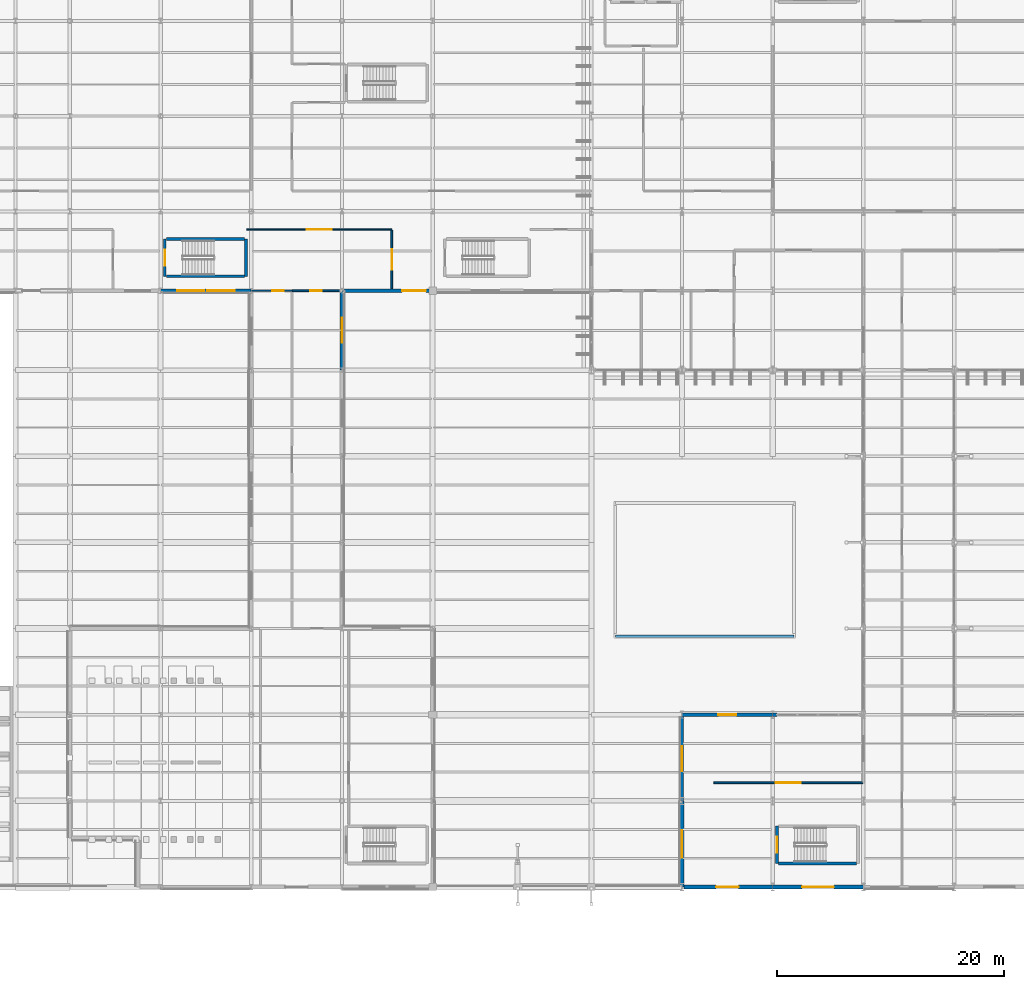
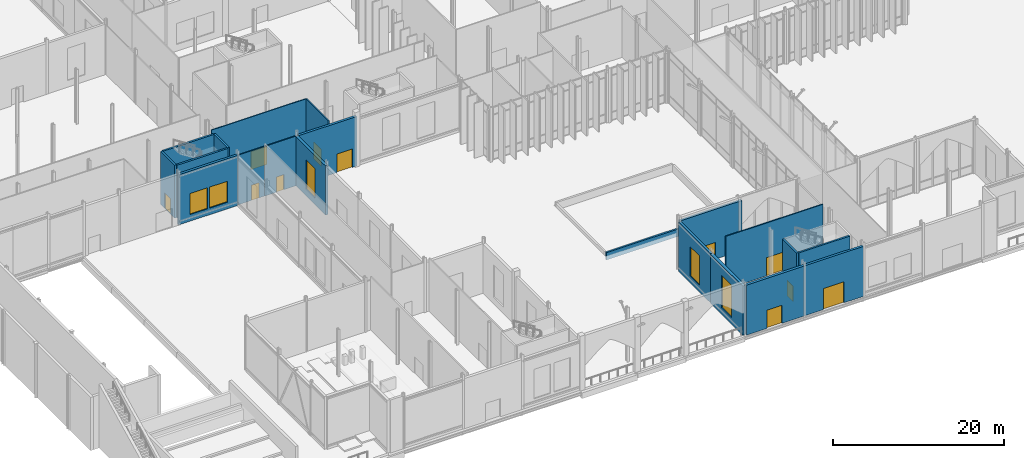
# One storey, part 134 of 176: 21 walls, 11 doors, 5 windows, 16 openings.
"""IFC4 building model written with IfcOpenShell, lengths in metres."""

from ifc_helpers import new_model, si_unit, direction, frame, frame_2d, origin, place, context, subcontext, project, spatial, rectangle, extrude, material, layer, layer_set, type_object, element, fill, save


model = new_model("IFC4")

# Units and contexts
model_context = context("Model", 3, precision=1e-05, world=origin(), true_north=direction((0.0, 1.0)))
body_context = subcontext(model_context, "Body", "Model", "MODEL_VIEW")
ifc_project = project(units=[si_unit("LENGTHUNIT", "METRE"), si_unit("AREAUNIT", "SQUARE_METRE"), si_unit("VOLUMEUNIT", "CUBIC_METRE"), si_unit("PLANEANGLEUNIT", "RADIAN"), si_unit("MASSUNIT", "GRAM", prefix="KILO")], contexts=[model_context])

# Site, building, storey
site_placement = place(None, origin())
site = spatial("IfcSite", under=ifc_project, at=site_placement, CompositionType="ELEMENT")
building_placement = place(site_placement, origin())
building = spatial("IfcBuilding", under=site, at=building_placement, Name="Vekula Escarpment Museum", CompositionType="ELEMENT")
storey_placement = place(building_placement, origin())
storey = spatial("IfcBuildingStorey", under=building, at=storey_placement, Name="L01", CompositionType="ELEMENT", Elevation=0.0)

# Wall, opening, window
ifc_material_1 = material(Name="Inkisi arkosic sandstone masonry", Category="masonry")
ifc_layer_1 = layer(ifc_material_1, 0.300048828125)
ifc_layer_set_1 = layer_set([ifc_layer_1], Name="Inkisi arkosic sandstone masonry")
wall_type_1 = type_object("IfcWallType", Name="WL-ALM-300", PredefinedType="SOLIDWALL", material=ifc_layer_set_1)
wall_1_placement = place(storey_placement, frame((78.0, 7.60009765625, 0.0), z_axis=(0.0, 0.0, 1.0), x_axis=(0.0, 1.0, 0.0)))
wall_1 = element("IfcWall", 1, at=wall_1_placement, inside=storey, type_object=wall_type_1, Name="Exterior Wall WL-EXT-L01-0307", PredefinedType="SOLIDWALL", context=body_context, shape_type="SweptSolid", body=[
    extrude(rectangle(XDim=7.435791015625, YDim=0.300048828125, at=frame_2d((3.7177734375, 0.0))), origin(), (0.0, 0.0, 1.0), 7.02490234375),
])
opening_1_placement = place(wall_1_placement, frame((2.617919921875, 0.0, 0.949951171875)))
opening_1 = element("IfcOpeningElement", 2, at=opening_1_placement, cuts=wall_1, Name="Opening WN-04", PredefinedType="OPENING", context=body_context, shape_type="SweptSolid", body=[
    extrude(rectangle(XDim=2.199951171875, YDim=4.199951171875, at=frame_2d((1.10009765625, 2.10009765625))), frame((0.0, 0.159912109375, 0.0), z_axis=(0.0, -1.0, 0.0), x_axis=(1.0, 0.0, 0.0)), (0.0, 0.0, 1.0), 0.320068359375),
])
ifc_material_2 = material(Name="Double solar-control low-E glass", Category="glass")
window_type_1 = type_object("IfcWindowType", Name="WN-ARCH-22x42", PartitioningType="DOUBLE_PANEL_VERTICAL", PredefinedType="WINDOW", material=ifc_material_2)
window_1_placement = place(opening_1_placement, origin())
window_1 = element("IfcWindow", 3, at=window_1_placement, inside=storey, type_object=window_type_1, Name="Window L01-0124", OverallHeight=4.199951171875, OverallWidth=2.199951171875, PartitioningType="SINGLE_PANEL", PredefinedType="WINDOW", context=body_context, shape_type="SweptSolid", body=[
    extrude(rectangle(XDim=2.199951171875, YDim=4.199951171875, at=frame_2d((1.10009765625, 2.10009765625))), frame((0.0, 0.030029296875, 0.0), z_axis=(0.0, -1.0, 0.0), x_axis=(1.0, 0.0, 0.0)), (0.0, 0.0, 1.0), 0.06005859375),
])
fill(opening_1, window_1)

# Wall, openings, windows
ifc_material_3 = material(Name="Inkisi arkosic sandstone masonry", Category="masonry")
ifc_layer_2 = layer(ifc_material_3, 0.320068359375)
ifc_layer_set_2 = layer_set([ifc_layer_2], Name="Inkisi arkosic sandstone masonry")
wall_type_2 = type_object("IfcWallType", Name="WL-ALM-320", PredefinedType="SOLIDWALL", material=ifc_layer_set_2)
wall_2_placement = place(storey_placement, frame((40.0, 52.60009765625, 0.0), z_axis=(0.0, 0.0, 1.0), x_axis=(-1.0, 0.0, 0.0)))
wall_2 = element("IfcWall", 4, at=wall_2_placement, inside=storey, type_object=wall_type_2, Name="Exterior Wall WL-EXT-L01-0262", PredefinedType="SOLIDWALL", context=body_context, shape_type="SweptSolid", body=[
    extrude(rectangle(XDim=8.0, YDim=0.320068359375, at=frame_2d((4.0, 0.0))), origin(), (0.0, 0.0, 1.0), 7.1650390625),
])
opening_2_placement = place(wall_2_placement, frame((1.466796875, 0.0, 0.949951171875)))
opening_2 = element("IfcOpeningElement", 5, at=opening_2_placement, cuts=wall_2, Name="Opening WN-14", PredefinedType="OPENING", context=body_context, shape_type="SweptSolid", body=[
    extrude(rectangle(XDim=2.39990234375, YDim=3.0, at=frame_2d((1.199951171875, 1.5))), frame((0.0, 0.169921875, 0.0), z_axis=(0.0, -1.0, 0.0), x_axis=(1.0, 0.0, 0.0)), (0.0, 0.0, 1.0), 0.340087890625),
])
opening_3_placement = place(wall_2_placement, frame((4.13330078125, 0.0, 0.949951171875)))
opening_3 = element("IfcOpeningElement", 6, at=opening_3_placement, cuts=wall_2, Name="Opening WN-14", PredefinedType="OPENING", context=body_context, shape_type="SweptSolid", body=[
    extrude(rectangle(XDim=2.39990234375, YDim=3.0, at=frame_2d((1.199951171875, 1.5))), frame((0.0, 0.169921875, 0.0), z_axis=(0.0, -1.0, 0.0), x_axis=(1.0, 0.0, 0.0)), (0.0, 0.0, 1.0), 0.340087890625),
])
ifc_material_4 = material(Name="Double solar-control low-E glass", Category="glass")
window_type_2 = type_object("IfcWindowType", Name="WN-CAFE-24x30", PartitioningType="TRIPLE_PANEL_VERTICAL", PredefinedType="WINDOW", material=ifc_material_4)
window_2_placement = place(opening_2_placement, origin())
window_2 = element("IfcWindow", 7, at=window_2_placement, inside=storey, type_object=window_type_2, Name="Window L01-0105", OverallHeight=3.0, OverallWidth=2.39990234375, PartitioningType="SINGLE_PANEL", PredefinedType="WINDOW", context=body_context, shape_type="SweptSolid", body=[
    extrude(rectangle(XDim=2.39990234375, YDim=3.0, at=frame_2d((1.199951171875, 1.5))), frame((0.0, 0.030029296875, 0.0), z_axis=(0.0, -1.0, 0.0), x_axis=(1.0, 0.0, 0.0)), (0.0, 0.0, 1.0), 0.06005859375),
])
fill(opening_2, window_2)
window_3_placement = place(opening_3_placement, origin())
window_3 = element("IfcWindow", 8, at=window_3_placement, inside=storey, type_object=window_type_2, Name="Window L01-0106", OverallHeight=3.0, OverallWidth=2.39990234375, PartitioningType="SINGLE_PANEL", PredefinedType="WINDOW", context=body_context, shape_type="SweptSolid", body=[
    extrude(rectangle(XDim=2.39990234375, YDim=3.0, at=frame_2d((1.199951171875, 1.5))), frame((0.0, 0.030029296875, 0.0), z_axis=(0.0, -1.0, 0.0), x_axis=(1.0, 0.0, 0.0)), (0.0, 0.0, 1.0), 0.06005859375),
])
fill(opening_3, window_3)

# Wall, opening, door
wall_3_placement = place(storey_placement, frame((56.0, 52.60009765625, 0.0), z_axis=(0.0, 0.0, 1.0), x_axis=(-1.0, 0.0, 0.0)))
wall_3 = element("IfcWall", 9, at=wall_3_placement, inside=storey, type_object=wall_type_2, Name="Exterior Wall WL-EXT-L01-0286", PredefinedType="SOLIDWALL", context=body_context, shape_type="SweptSolid", body=[
    extrude(rectangle(XDim=7.821044921875, YDim=0.320068359375, at=frame_2d((3.91064453125, 0.0))), origin(), (0.0, 0.0, 1.0), 7.074951171875),
])
opening_4_placement = place(wall_3_placement, frame((0.60009765625, 0.0, 0.0)))
opening_4 = element("IfcOpeningElement", 10, at=opening_4_placement, cuts=wall_3, Name="Opening D-EX21", PredefinedType="OPENING", context=body_context, shape_type="SweptSolid", body=[
    extrude(rectangle(XDim=2.10009765625, YDim=2.64990234375, at=frame_2d((1.050048828125, 1.324951171875))), frame((0.0, 0.169921875, 0.0), z_axis=(0.0, -1.0, 0.0), x_axis=(1.0, 0.0, 0.0)), (0.0, 0.0, 1.0), 0.340087890625),
])
ifc_material_5 = material(Name="Bronze-anodized glazed exit door", Category="aluminium")
door_type_1 = type_object("IfcDoorType", Name="DR-EX-2100x2650", OperationType="NOTDEFINED", PredefinedType="DOOR", material=ifc_material_5)
door_1_placement = place(opening_4_placement, origin())
door_1 = element("IfcDoor", 11, at=door_1_placement, inside=storey, type_object=door_type_1, Name="Central West ST-01 Protected Exit Door D-EX21", OperationType="SINGLE_SWING_LEFT", OverallHeight=2.64990234375, OverallWidth=2.10009765625, PredefinedType="DOOR", context=body_context, shape_type="SweptSolid", body=[
    extrude(rectangle(XDim=2.10009765625, YDim=2.64990234375, at=frame_2d((1.050048828125, 1.324951171875))), frame((0.0, 0.02490234375, 0.0), z_axis=(0.0, -1.0, 0.0), x_axis=(1.0, 0.0, 0.0)), (0.0, 0.0, 1.0), 0.050048828125),
])
fill(opening_4, door_1)

wall_4_placement = place(storey_placement, frame((78.0, 15.199951171875, 0.0), z_axis=(0.0, 0.0, 1.0), x_axis=(1.0, 0.0, 0.0)))
wall_4 = element("IfcWall", 12, at=wall_4_placement, inside=storey, type_object=wall_type_2, Name="Exterior Wall WL-EXT-L01-0306", PredefinedType="SOLIDWALL", context=body_context, shape_type="SweptSolid", body=[
    extrude(rectangle(XDim=8.0, YDim=0.320068359375, at=frame_2d((4.0, 0.0))), origin(), (0.0, 0.0, 1.0), 7.125),
])
opening_5_placement = place(wall_4_placement, frame((3.199951171875, 0.0, 0.0)))
opening_5 = element("IfcOpeningElement", 13, at=opening_5_placement, cuts=wall_4, Name="Opening D-CY02", PredefinedType="OPENING", context=body_context, shape_type="SweptSolid", body=[
    extrude(rectangle(XDim=1.60009765625, YDim=2.39990234375, at=frame_2d((0.800048828125, 1.199951171875))), frame((0.0, 0.169921875, 0.0), z_axis=(0.0, -1.0, 0.0), x_axis=(1.0, 0.0, 0.0)), (0.0, 0.0, 1.0), 0.340087890625),
])
ifc_material_6 = material(Name="Thermally broken glazed terrace door", Category="steel")
door_type_2 = type_object("IfcDoorType", Name="DR-TER-1600x2400", OperationType="NOTDEFINED", PredefinedType="DOOR", material=ifc_material_6)
door_2_placement = place(opening_5_placement, origin())
door_2 = element("IfcDoor", 14, at=door_2_placement, inside=storey, type_object=door_type_2, Name="South Avlu Courtyard Door D-CY02", OperationType="SINGLE_SWING_RIGHT", OverallHeight=2.39990234375, OverallWidth=1.60009765625, PredefinedType="DOOR", context=body_context, shape_type="SweptSolid", body=[
    extrude(rectangle(XDim=1.60009765625, YDim=2.39990234375, at=frame_2d((0.800048828125, 1.199951171875))), frame((0.0, 0.02490234375, 0.0), z_axis=(0.0, -1.0, 0.0), x_axis=(1.0, 0.0, 0.0)), (0.0, 0.0, 1.0), 0.050048828125),
])
fill(opening_5, door_2)

wall_5_placement = place(storey_placement, frame((94.0, 0.0, 0.0), z_axis=(0.0, 0.0, 1.0), x_axis=(-1.0, 0.0, 0.0)))
wall_5 = element("IfcWall", 15, at=wall_5_placement, inside=storey, type_object=wall_type_2, Name="Exterior Wall WL-EXT-L01-0310", PredefinedType="SOLIDWALL", context=body_context, shape_type="SweptSolid", body=[
    extrude(rectangle(XDim=8.0, YDim=0.320068359375, at=frame_2d((4.0, 0.0))), origin(), (0.0, 0.0, 1.0), 7.135009765625),
])
opening_6_placement = place(wall_5_placement, frame((2.60009765625, 0.0, 0.0)))
opening_6 = element("IfcOpeningElement", 16, at=opening_6_placement, cuts=wall_5, Name="Opening D-EX18", PredefinedType="OPENING", context=body_context, shape_type="SweptSolid", body=[
    extrude(rectangle(XDim=2.800048828125, YDim=3.0, at=frame_2d((1.39990234375, 1.5))), frame((0.0, 0.169921875, 0.0), z_axis=(0.0, -1.0, 0.0), x_axis=(1.0, 0.0, 0.0)), (0.0, 0.0, 1.0), 0.340087890625),
])
ifc_material_7 = material(Name="Bronze-anodized glazed exit door", Category="aluminium")
door_type_3 = type_object("IfcDoorType", Name="DR-EX-2800x3000", OperationType="NOTDEFINED", PredefinedType="DOOR", material=ifc_material_7)
door_3_placement = place(opening_6_placement, origin())
door_3 = element("IfcDoor", 17, at=door_3_placement, inside=storey, type_object=door_type_3, Name="Paleobotany Gallery South Exit D-EX18", OperationType="SINGLE_SWING_RIGHT", OverallHeight=3.0, OverallWidth=2.800048828125, PredefinedType="DOOR", context=body_context, shape_type="SweptSolid", body=[
    extrude(rectangle(XDim=2.800048828125, YDim=3.0, at=frame_2d((1.39990234375, 1.5))), frame((0.0, 0.02490234375, 0.0), z_axis=(0.0, -1.0, 0.0), x_axis=(1.0, 0.0, 0.0)), (0.0, 0.0, 1.0), 0.050048828125),
])
fill(opening_6, door_3)

# Wall, opening, window
ifc_material_8 = material(Name="Inkisi arkosic sandstone masonry", Category="masonry")
ifc_layer_3 = layer(ifc_material_8, 0.35009765625)
ifc_layer_set_3 = layer_set([ifc_layer_3], Name="Inkisi arkosic sandstone masonry")
wall_type_3 = type_object("IfcWallType", Name="WL-ALM-350", PredefinedType="SOLIDWALL", material=ifc_layer_set_3)
wall_6_placement = place(storey_placement, frame((48.0, 52.60009765625, 0.0), z_axis=(0.0, 0.0, 1.0), x_axis=(0.0, -1.0, 0.0)))
wall_6 = element("IfcWall", 18, at=wall_6_placement, inside=storey, type_object=wall_type_3, Name="Exterior Wall WL-EXT-L01-0285", PredefinedType="SOLIDWALL", context=body_context, shape_type="SweptSolid", body=[
    extrude(rectangle(XDim=7.0, YDim=0.35009765625, at=frame_2d((3.5, 0.0))), origin(), (0.0, 0.0, 1.0), 7.02490234375),
])
opening_7_placement = place(wall_6_placement, frame((2.39990234375, 0.0, 0.949951171875)))
opening_7 = element("IfcOpeningElement", 19, at=opening_7_placement, cuts=wall_6, Name="Opening WN-04", PredefinedType="OPENING", context=body_context, shape_type="SweptSolid", body=[
    extrude(rectangle(XDim=2.199951171875, YDim=4.199951171875, at=frame_2d((1.10009765625, 2.10009765625))), frame((0.0, 0.18505859375, 0.0), z_axis=(0.0, -1.0, 0.0), x_axis=(1.0, 0.0, 0.0)), (0.0, 0.0, 1.0), 0.3701171875),
])
window_4_placement = place(opening_7_placement, origin())
window_4 = element("IfcWindow", 20, at=window_4_placement, inside=storey, type_object=window_type_1, Name="Window L01-0121", OverallHeight=4.199951171875, OverallWidth=2.199951171875, PartitioningType="SINGLE_PANEL", PredefinedType="WINDOW", context=body_context, shape_type="SweptSolid", body=[
    extrude(rectangle(XDim=2.199951171875, YDim=4.199951171875, at=frame_2d((1.10009765625, 2.10009765625))), frame((0.0, 0.030029296875, 0.0), z_axis=(0.0, -1.0, 0.0), x_axis=(1.0, 0.0, 0.0)), (0.0, 0.0, 1.0), 0.06005859375),
])
fill(opening_7, window_4)

# Wall
wall_7_placement = place(storey_placement, frame((86.360107421875, 15.199951171875, 0.0), z_axis=(0.0, 0.0, 1.0), x_axis=(-1.0, 0.0, 0.0)))
element("IfcWall", 21, at=wall_7_placement, inside=storey, type_object=wall_type_3, Name="Facade Jamb Pier L01-0305B", PredefinedType="SOLIDWALL", context=body_context, shape_type="SweptSolid", body=[
    extrude(rectangle(XDim=0.360107421875, YDim=0.35009765625, at=frame_2d((0.18017578125, 0.0))), origin(), (0.0, 0.0, 1.0), 7.125),
])

# Wall, opening, door
wall_8_placement = place(storey_placement, frame((86.0, 0.0, 0.0), z_axis=(0.0, 0.0, 1.0), x_axis=(-1.0, 0.0, 0.0)))
wall_8 = element("IfcWall", 22, at=wall_8_placement, inside=storey, type_object=wall_type_3, Name="Exterior Wall WL-EXT-L01-0309", PredefinedType="SOLIDWALL", context=body_context, shape_type="SweptSolid", body=[
    extrude(rectangle(XDim=7.805908203125, YDim=0.35009765625, at=frame_2d((3.90283203125, 0.0))), origin(), (0.0, 0.0, 1.0), 7.135009765625),
])
opening_8_placement = place(wall_8_placement, frame((3.0, 0.0, 0.0)))
opening_8 = element("IfcOpeningElement", 23, at=opening_8_placement, cuts=wall_8, Name="Opening D-EX03", PredefinedType="OPENING", context=body_context, shape_type="SweptSolid", body=[
    extrude(rectangle(XDim=2.0, YDim=2.60009765625, at=frame_2d((1.0, 1.300048828125))), frame((0.0, 0.18505859375, 0.0), z_axis=(0.0, -1.0, 0.0), x_axis=(1.0, 0.0, 0.0)), (0.0, 0.0, 1.0), 0.3701171875),
])
ifc_material_9 = material(Name="Bronze-anodized glazed exit door", Category="aluminium")
door_type_4 = type_object("IfcDoorType", Name="DR-EX-2000x2600", OperationType="NOTDEFINED", PredefinedType="DOOR", material=ifc_material_9)
door_4_placement = place(opening_8_placement, origin())
door_4 = element("IfcDoor", 24, at=door_4_placement, inside=storey, type_object=door_type_4, Name="South Courtyard Gallery Exit D-EX03", OperationType="SINGLE_SWING_LEFT", OverallHeight=2.60009765625, OverallWidth=2.0, PredefinedType="DOOR", context=body_context, shape_type="SweptSolid", body=[
    extrude(rectangle(XDim=2.0, YDim=2.60009765625, at=frame_2d((1.0, 1.300048828125))), frame((0.0, 0.02490234375, 0.0), z_axis=(0.0, -1.0, 0.0), x_axis=(1.0, 0.0, 0.0)), (0.0, 0.0, 1.0), 0.050048828125),
])
fill(opening_8, door_4)

# Wall, opening, window
ifc_material_10 = material(Name="Inkisi arkosic sandstone masonry", Category="masonry")
ifc_layer_4 = layer(ifc_material_10, 0.3798828125)
ifc_layer_set_4 = layer_set([ifc_layer_4], Name="Inkisi arkosic sandstone masonry")
wall_type_4 = type_object("IfcWallType", Name="WL-ALM-380", PredefinedType="SOLIDWALL", material=ifc_layer_set_4)
wall_9_placement = place(storey_placement, frame((78.0, 0.0, 0.0), z_axis=(0.0, 0.0, 1.0), x_axis=(0.0, 1.0, 0.0)))
wall_9 = element("IfcWall", 25, at=wall_9_placement, inside=storey, type_object=wall_type_4, Name="Exterior Wall WL-EXT-L01-0308", PredefinedType="SOLIDWALL", context=body_context, shape_type="SweptSolid", body=[
    extrude(rectangle(XDim=7.60009765625, YDim=0.3798828125, at=frame_2d((3.800048828125, 0.0))), origin(), (0.0, 0.0, 1.0), 7.02490234375),
])
opening_9_placement = place(wall_9_placement, frame((2.60009765625, 0.0, 0.949951171875)))
opening_9 = element("IfcOpeningElement", 26, at=opening_9_placement, cuts=wall_9, Name="Opening WN-05", PredefinedType="OPENING", context=body_context, shape_type="SweptSolid", body=[
    extrude(rectangle(XDim=2.39990234375, YDim=4.60009765625, at=frame_2d((1.199951171875, 2.300048828125))), frame((0.0, 0.199951171875, 0.0), z_axis=(0.0, -1.0, 0.0), x_axis=(1.0, 0.0, 0.0)), (0.0, 0.0, 1.0), 0.39990234375),
])
ifc_material_11 = material(Name="Double solar-control low-E glass", Category="glass")
window_type_3 = type_object("IfcWindowType", Name="WN-ARCH-24x46", PartitioningType="TRIPLE_PANEL_VERTICAL", PredefinedType="WINDOW", material=ifc_material_11)
window_5_placement = place(opening_9_placement, origin())
window_5 = element("IfcWindow", 27, at=window_5_placement, inside=storey, type_object=window_type_3, Name="Window L01-0125", OverallHeight=4.60009765625, OverallWidth=2.39990234375, PartitioningType="SINGLE_PANEL", PredefinedType="WINDOW", context=body_context, shape_type="SweptSolid", body=[
    extrude(rectangle(XDim=2.39990234375, YDim=4.60009765625, at=frame_2d((1.199951171875, 2.300048828125))), frame((0.0, 0.030029296875, 0.0), z_axis=(0.0, -1.0, 0.0), x_axis=(1.0, 0.0, 0.0)), (0.0, 0.0, 1.0), 0.06005859375),
])
fill(opening_9, window_5)

# Wall, opening, door
ifc_material_12 = material(Name="Concrete C35/45", Category="concrete")
ifc_layer_5 = layer(ifc_material_12, 0.25)
ifc_layer_set_5 = layer_set([ifc_layer_5], Name="Concrete C35/45")
wall_type_5 = type_object("IfcWallType", Name="WL-CORE-250", PredefinedType="SHEAR", material=ifc_layer_set_5)
wall_10_placement = place(storey_placement, frame((32.375, 53.875, 0.0), z_axis=(0.0, 0.0, 1.0), x_axis=(0.0, 1.0, 0.0)))
wall_10 = element("IfcWall", 28, at=wall_10_placement, inside=storey, type_object=wall_type_5, Name="Stair Core Wall ST-04 L01 W", PredefinedType="SHEAR", context=body_context, shape_type="SweptSolid", body=[
    extrude(rectangle(XDim=3.2900390625, YDim=0.25, at=frame_2d((1.64501953125, 0.0))), origin(), (0.0, 0.0, 1.0), 7.5400390625),
])
opening_10_placement = place(wall_10_placement, frame((0.945068359375, 0.0, 0.0)))
opening_10 = element("IfcOpeningElement", 29, at=opening_10_placement, cuts=wall_10, Name="Opening DR-FD60", PredefinedType="OPENING", context=body_context, shape_type="SweptSolid", body=[
    extrude(rectangle(XDim=1.39990234375, YDim=2.199951171875, at=frame_2d((0.699951171875, 1.10009765625))), frame((0.0, 0.135009765625, 0.0), z_axis=(0.0, -1.0, 0.0), x_axis=(1.0, 0.0, 0.0)), (0.0, 0.0, 1.0), 0.27001953125),
])
ifc_material_13 = material(Name="Fire-rated steel stair door", Category="steel")
door_type_5 = type_object("IfcDoorType", Name="DR-STAIR-1400x2200", OperationType="NOTDEFINED", PredefinedType="DOOR", material=ifc_material_13)
door_5_placement = place(opening_10_placement, origin())
door_5 = element("IfcDoor", 30, at=door_5_placement, inside=storey, type_object=door_type_5, Name="Protected Exit Stair Door ST-04 L01", OperationType="SINGLE_SWING_RIGHT", OverallHeight=2.199951171875, OverallWidth=1.39990234375, PredefinedType="DOOR", context=body_context, shape_type="SweptSolid", body=[
    extrude(rectangle(XDim=1.39990234375, YDim=2.199951171875, at=frame_2d((0.699951171875, 1.10009765625))), frame((0.0, 0.02490234375, 0.0), z_axis=(0.0, -1.0, 0.0), x_axis=(1.0, 0.0, 0.0)), (0.0, 0.0, 1.0), 0.050048828125),
])
fill(opening_10, door_5)

# Walls
wall_11_placement = place(storey_placement, frame((39.52490234375, 53.875, 0.0), z_axis=(0.0, 0.0, 1.0), x_axis=(0.0, 1.0, 0.0)))
element("IfcWall", 31, at=wall_11_placement, inside=storey, type_object=wall_type_5, Name="Stair Core Wall ST-04 L01 E", PredefinedType="SHEAR", context=body_context, shape_type="SweptSolid", body=[
    extrude(rectangle(XDim=3.2900390625, YDim=0.25, at=frame_2d((1.64501953125, 0.0))), origin(), (0.0, 0.0, 1.0), 7.5400390625),
])
for number, where, z_axis, x_axis, name in (
    (32, (32.50390625, 53.875, 0.0), (0.0, 0.0, 1.0), (1.0, 0.0, 0.0), "Stair Core Wall ST-04 L01 S"),
    (33, (32.50390625, 57.1650390625, 0.0), (0.0, 0.0, 1.0), (1.0, 0.0, 0.0), "Stair Core Wall ST-04 L01 N"),
):
    element("IfcWall", number, at=place(storey_placement, frame(where, z_axis=z_axis, x_axis=x_axis)), inside=storey, type_object=wall_type_5, Name=name, PredefinedType="SHEAR", context=body_context, shape_type="SweptSolid", body=[
        extrude(rectangle(XDim=6.89208984375, YDim=0.25, at=frame_2d((3.446044921875, 0.0))), origin(), (0.0, 0.0, 1.0), 7.5400390625),
    ])

# Wall, opening, door
wall_12_placement = place(storey_placement, frame((86.375, 2.074951171875, 0.0), z_axis=(0.0, 0.0, 1.0), x_axis=(0.0, 1.0, 0.0)))
wall_12 = element("IfcWall", 34, at=wall_12_placement, inside=storey, type_object=wall_type_5, Name="Stair Core Wall ST-11 L01 W", PredefinedType="SHEAR", context=body_context, shape_type="SweptSolid", body=[
    extrude(rectangle(XDim=3.2900390625, YDim=0.25, at=frame_2d((1.64501953125, 0.0))), origin(), (0.0, 0.0, 1.0), 7.5400390625),
])
opening_11_placement = place(wall_12_placement, frame((0.945068359375, 0.0, 0.0)))
opening_11 = element("IfcOpeningElement", 35, at=opening_11_placement, cuts=wall_12, Name="Opening DR-FD60", PredefinedType="OPENING", context=body_context, shape_type="SweptSolid", body=[
    extrude(rectangle(XDim=1.39990234375, YDim=2.199951171875, at=frame_2d((0.699951171875, 1.10009765625))), frame((0.0, 0.135009765625, 0.0), z_axis=(0.0, -1.0, 0.0), x_axis=(1.0, 0.0, 0.0)), (0.0, 0.0, 1.0), 0.27001953125),
])
door_6_placement = place(opening_11_placement, origin())
door_6 = element("IfcDoor", 36, at=door_6_placement, inside=storey, type_object=door_type_5, Name="Protected Exit Stair Door ST-11 L01", OperationType="SINGLE_SWING_LEFT", OverallHeight=2.199951171875, OverallWidth=1.39990234375, PredefinedType="DOOR", context=body_context, shape_type="SweptSolid", body=[
    extrude(rectangle(XDim=1.39990234375, YDim=2.199951171875, at=frame_2d((0.699951171875, 1.10009765625))), frame((0.0, 0.02490234375, 0.0), z_axis=(0.0, -1.0, 0.0), x_axis=(1.0, 0.0, 0.0)), (0.0, 0.0, 1.0), 0.050048828125),
])
fill(opening_11, door_6)

# Walls
wall_13_placement = place(storey_placement, frame((86.50390625, 2.074951171875, 0.0), z_axis=(0.0, 0.0, 1.0), x_axis=(1.0, 0.0, 0.0)))
element("IfcWall", 37, at=wall_13_placement, inside=storey, type_object=wall_type_5, Name="Stair Core Wall ST-11 L01 S", PredefinedType="SHEAR", context=body_context, shape_type="SweptSolid", body=[
    extrude(rectangle(XDim=6.89208984375, YDim=0.25, at=frame_2d((3.446044921875, 0.0))), origin(), (0.0, 0.0, 1.0), 7.5400390625),
])
ifc_material_14 = material(Name="Precast concrete C40/50", Category="concrete")
ifc_layer_6 = layer(ifc_material_14, 0.239990234375)
ifc_layer_set_6 = layer_set([ifc_layer_6], Name="Precast concrete C40/50")
wall_type_6 = type_object("IfcWallType", Name="WL-PAR-240", PredefinedType="PARAPET", material=ifc_layer_set_6)
wall_14_placement = place(storey_placement, frame((72.1201171875, 22.1201171875, -0.60009765625), z_axis=(0.0, 0.0, 1.0), x_axis=(1.0, 0.0, 0.0)))
element("IfcWall", 38, at=wall_14_placement, inside=storey, type_object=wall_type_6, Name="Sadirvan Basin Stone Curb S-01", PredefinedType="PARAPET", context=body_context, shape_type="SweptSolid", body=[
    extrude(rectangle(XDim=15.759765625, YDim=0.239990234375, at=frame_2d((7.8798828125, 0.0))), origin(), (0.0, 0.0, 1.0), 1.050048828125),
])

# Wall, opening, door
ifc_material_15 = material(Name="Lightweight studio partition", Category="gypsum")
ifc_layer_7 = layer(ifc_material_15, 0.1201171875)
ifc_layer_set_7 = layer_set([ifc_layer_7], Name="Lightweight studio partition")
wall_type_7 = type_object("IfcWallType", Name="WL-PART-120", PredefinedType="PARTITIONING", material=ifc_layer_set_7)
wall_15_placement = place(storey_placement, frame((39.60009765625, 58.0, 0.0), z_axis=(0.0, 0.0, 1.0), x_axis=(1.0, 0.0, 0.0)))
wall_15 = element("IfcWall", 39, at=wall_15_placement, inside=storey, type_object=wall_type_7, Name="Interior Partition WL-INT-L01-0018", PredefinedType="PARTITIONING", context=body_context, shape_type="SweptSolid", body=[
    extrude(rectangle(XDim=12.7998046875, YDim=0.1201171875, at=frame_2d((6.39990234375, 0.0))), origin(), (0.0, 0.0, 1.0), 7.5400390625),
])
opening_12_placement = place(wall_15_placement, frame((5.300048828125, 0.0, 0.0)))
opening_12 = element("IfcOpeningElement", 40, at=opening_12_placement, cuts=wall_15, Name="Opening DR-GL22", PredefinedType="OPENING", context=body_context, shape_type="SweptSolid", body=[
    extrude(rectangle(XDim=2.199951171875, YDim=2.60009765625, at=frame_2d((1.10009765625, 1.300048828125))), frame((0.0, 0.070068359375, 0.0), z_axis=(0.0, -1.0, 0.0), x_axis=(1.0, 0.0, 0.0)), (0.0, 0.0, 1.0), 0.14013671875),
])
ifc_material_16 = material(Name="Double acoustic timber gallery door", Category="wood")
door_type_6 = type_object("IfcDoorType", Name="DR-GAL-2200x2600", OperationType="NOTDEFINED", PredefinedType="DOOR", material=ifc_material_16)
door_7_placement = place(opening_12_placement, origin())
door_7 = element("IfcDoor", 41, at=door_7_placement, inside=storey, type_object=door_type_6, Name="Interior Door L01-016", OperationType="SINGLE_SWING_LEFT", OverallHeight=2.60009765625, OverallWidth=2.199951171875, PredefinedType="DOOR", context=body_context, shape_type="SweptSolid", body=[
    extrude(rectangle(XDim=2.199951171875, YDim=2.60009765625, at=frame_2d((1.10009765625, 1.300048828125))), frame((0.0, 0.02490234375, 0.0), z_axis=(0.0, -1.0, 0.0), x_axis=(1.0, 0.0, 0.0)), (0.0, 0.0, 1.0), 0.050048828125),
])
fill(opening_12, door_7)

wall_16_placement = place(storey_placement, frame((40.0, 52.60009765625, 0.0), z_axis=(0.0, 0.0, 1.0), x_axis=(1.0, 0.0, 0.0)))
wall_16 = element("IfcWall", 42, at=wall_16_placement, inside=storey, type_object=wall_type_7, Name="Interior Partition WL-INT-L01-0027", PredefinedType="PARTITIONING", context=body_context, shape_type="SweptSolid", body=[
    extrude(rectangle(XDim=3.60009765625, YDim=0.1201171875, at=frame_2d((1.800048828125, 0.0))), origin(), (0.0, 0.0, 1.0), 7.074951171875),
])
opening_13_placement = place(wall_16_placement, frame((1.8701171875, 0.0, 0.0)))
opening_13 = element("IfcOpeningElement", 43, at=opening_13_placement, cuts=wall_16, Name="Opening DR-OF10", PredefinedType="OPENING", context=body_context, shape_type="SweptSolid", body=[
    extrude(rectangle(XDim=1.0, YDim=2.14990234375, at=frame_2d((0.5, 1.074951171875))), frame((0.0, 0.070068359375, 0.0), z_axis=(0.0, -1.0, 0.0), x_axis=(1.0, 0.0, 0.0)), (0.0, 0.0, 1.0), 0.14013671875),
])
ifc_material_17 = material(Name="Solid core timber study door", Category="wood")
door_type_7 = type_object("IfcDoorType", Name="DR-OFF-1000x2150", OperationType="NOTDEFINED", PredefinedType="DOOR", material=ifc_material_17)
door_8_placement = place(opening_13_placement, origin())
door_8 = element("IfcDoor", 44, at=door_8_placement, inside=storey, type_object=door_type_7, Name="Interior Door L01-025", OperationType="SINGLE_SWING_RIGHT", OverallHeight=2.14990234375, OverallWidth=1.0, PredefinedType="DOOR", context=body_context, shape_type="SweptSolid", body=[
    extrude(rectangle(XDim=1.0, YDim=2.14990234375, at=frame_2d((0.5, 1.074951171875))), frame((0.0, 0.02490234375, 0.0), z_axis=(0.0, -1.0, 0.0), x_axis=(1.0, 0.0, 0.0)), (0.0, 0.0, 1.0), 0.050048828125),
])
fill(opening_13, door_8)

ifc_material_18 = material(Name="Gypsum board dry-lined partition", Category="gypsum")
ifc_layer_8 = layer(ifc_material_18, 0.14990234375)
ifc_layer_set_8 = layer_set([ifc_layer_8], Name="Gypsum board dry-lined partition")
wall_type_8 = type_object("IfcWallType", Name="WL-PART-150", PredefinedType="PARTITIONING", material=ifc_layer_set_8)
wall_17_placement = place(storey_placement, frame((52.39990234375, 52.763916015625, 0.0), z_axis=(0.0, 0.0, 1.0), x_axis=(0.0, 1.0, 0.0)))
wall_17 = element("IfcWall", 45, at=wall_17_placement, inside=storey, type_object=wall_type_8, Name="Interior Partition WL-INT-L01-0026", PredefinedType="PARTITIONING", context=body_context, shape_type="SweptSolid", body=[
    extrude(rectangle(XDim=5.172119140625, YDim=0.14990234375, at=frame_2d((2.5859375, 0.0))), origin(), (0.0, 0.0, 1.0), 7.5400390625),
])
opening_14_placement = place(wall_17_placement, frame((1.68603515625, 0.0, 0.0)))
opening_14 = element("IfcOpeningElement", 46, at=opening_14_placement, cuts=wall_17, Name="Opening DR-GL18", PredefinedType="OPENING", context=body_context, shape_type="SweptSolid", body=[
    extrude(rectangle(XDim=1.800048828125, YDim=2.39990234375, at=frame_2d((0.89990234375, 1.199951171875))), frame((0.0, 0.0849609375, 0.0), z_axis=(0.0, -1.0, 0.0), x_axis=(1.0, 0.0, 0.0)), (0.0, 0.0, 1.0), 0.169921875),
])
ifc_material_19 = material(Name="Double glazed gallery portal door", Category="steel")
door_type_8 = type_object("IfcDoorType", Name="DR-GAL-1800x2400", OperationType="NOTDEFINED", PredefinedType="DOOR", material=ifc_material_19)
door_9_placement = place(opening_14_placement, origin())
door_9 = element("IfcDoor", 47, at=door_9_placement, inside=storey, type_object=door_type_8, Name="Interior Door L01-024", OperationType="SINGLE_SWING_LEFT", OverallHeight=2.39990234375, OverallWidth=1.800048828125, PredefinedType="DOOR", context=body_context, shape_type="SweptSolid", body=[
    extrude(rectangle(XDim=1.800048828125, YDim=2.39990234375, at=frame_2d((0.89990234375, 1.199951171875))), frame((0.0, 0.02490234375, 0.0), z_axis=(0.0, -1.0, 0.0), x_axis=(1.0, 0.0, 0.0)), (0.0, 0.0, 1.0), 0.050048828125),
])
fill(opening_14, door_9)

ifc_material_20 = material(Name="Gypsum board gallery partition", Category="gypsum")
ifc_layer_9 = layer(ifc_material_20, 0.159912109375)
ifc_layer_set_9 = layer_set([ifc_layer_9], Name="Gypsum board gallery partition")
wall_type_9 = type_object("IfcWallType", Name="WL-PART-160", PredefinedType="PARTITIONING", material=ifc_layer_set_9)
wall_18_placement = place(storey_placement, frame((43.60009765625, 52.60009765625, 0.0), z_axis=(0.0, 0.0, 1.0), x_axis=(1.0, 0.0, 0.0)))
wall_18 = element("IfcWall", 48, at=wall_18_placement, inside=storey, type_object=wall_type_9, Name="Interior Partition WL-INT-L01-0028", PredefinedType="PARTITIONING", context=body_context, shape_type="SweptSolid", body=[
    extrude(rectangle(XDim=4.220947265625, YDim=0.159912109375, at=frame_2d((2.1103515625, 0.0))), origin(), (0.0, 0.0, 1.0), 7.074951171875),
])
opening_15_placement = place(wall_18_placement, frame((1.610595703125, 0.0, 0.0)))
opening_15 = element("IfcOpeningElement", 49, at=opening_15_placement, cuts=wall_18, Name="Opening DR-OF10", PredefinedType="OPENING", context=body_context, shape_type="SweptSolid", body=[
    extrude(rectangle(XDim=1.0, YDim=2.14990234375, at=frame_2d((0.5, 1.074951171875))), frame((0.0, 0.08984375, 0.0), z_axis=(0.0, -1.0, 0.0), x_axis=(1.0, 0.0, 0.0)), (0.0, 0.0, 1.0), 0.179931640625),
])
door_10_placement = place(opening_15_placement, origin())
door_10 = element("IfcDoor", 50, at=door_10_placement, inside=storey, type_object=door_type_7, Name="Interior Door L01-026", OperationType="SINGLE_SWING_LEFT", OverallHeight=2.14990234375, OverallWidth=1.0, PredefinedType="DOOR", context=body_context, shape_type="SweptSolid", body=[
    extrude(rectangle(XDim=1.0, YDim=2.14990234375, at=frame_2d((0.5, 1.074951171875))), frame((0.0, 0.02490234375, 0.0), z_axis=(0.0, -1.0, 0.0), x_axis=(1.0, 0.0, 0.0)), (0.0, 0.0, 1.0), 0.050048828125),
])
fill(opening_15, door_10)

wall_19_placement = place(storey_placement, frame((80.800048828125, 9.199951171875, 0.0), z_axis=(0.0, 0.0, 1.0), x_axis=(1.0, 0.0, 0.0)))
wall_19 = element("IfcWall", 51, at=wall_19_placement, inside=storey, type_object=wall_type_9, Name="Interior Partition WL-INT-L01-0082", PredefinedType="PARTITIONING", context=body_context, shape_type="SweptSolid", body=[
    extrude(rectangle(XDim=13.120849609375, YDim=0.159912109375, at=frame_2d((6.560546875, 0.0))), origin(), (0.0, 0.0, 1.0), 7.5400390625),
])
opening_16_placement = place(wall_19_placement, frame((5.46044921875, 0.0, 0.0)))
opening_16 = element("IfcOpeningElement", 52, at=opening_16_placement, cuts=wall_19, Name="Opening DR-GL22", PredefinedType="OPENING", context=body_context, shape_type="SweptSolid", body=[
    extrude(rectangle(XDim=2.199951171875, YDim=2.60009765625, at=frame_2d((1.10009765625, 1.300048828125))), frame((0.0, 0.08984375, 0.0), z_axis=(0.0, -1.0, 0.0), x_axis=(1.0, 0.0, 0.0)), (0.0, 0.0, 1.0), 0.179931640625),
])
door_11_placement = place(opening_16_placement, origin())
door_11 = element("IfcDoor", 53, at=door_11_placement, inside=storey, type_object=door_type_6, Name="Interior Door L01-074", OperationType="SINGLE_SWING_LEFT", OverallHeight=2.60009765625, OverallWidth=2.199951171875, PredefinedType="DOOR", context=body_context, shape_type="SweptSolid", body=[
    extrude(rectangle(XDim=2.199951171875, YDim=2.60009765625, at=frame_2d((1.10009765625, 1.300048828125))), frame((0.0, 0.02490234375, 0.0), z_axis=(0.0, -1.0, 0.0), x_axis=(1.0, 0.0, 0.0)), (0.0, 0.0, 1.0), 0.050048828125),
])
fill(opening_16, door_11)

save(model, "model.ifc")
